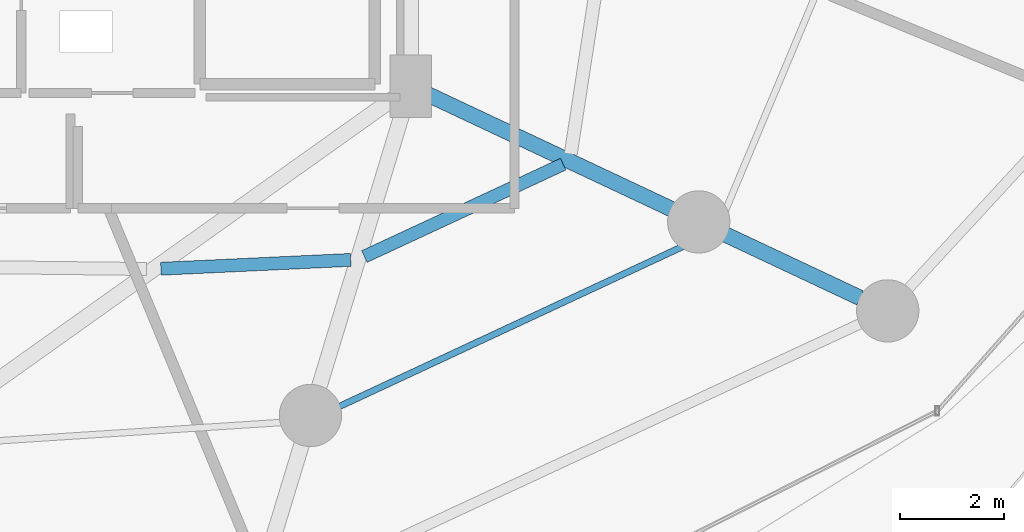
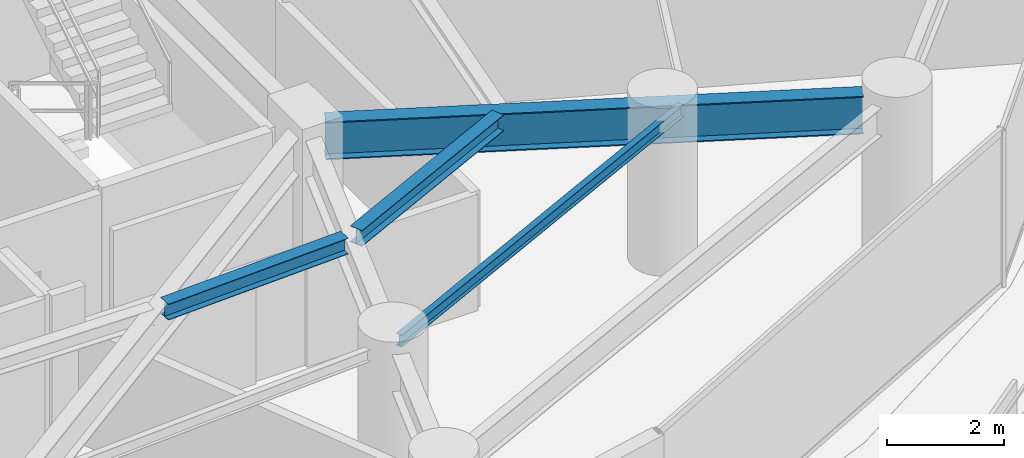
# One storey, part 13 of 35: 4 beams.
"""IFC4 building model written with IfcOpenShell, lengths in metres."""

from ifc_helpers import new_model, si_unit, direction, frame, origin, origin_2d, place, context, subcontext, project, spatial, i_section, extrude, material, material_profile, profile_set, type_object, element, save


model = new_model("IFC4")

# Units and contexts
model_context = context("Model", 3, precision=1e-05, world=origin(), true_north=direction((0.0, 1.0)))
body_context = subcontext(model_context, "Body", "Model", "MODEL_VIEW")
ifc_project = project(units=[si_unit("LENGTHUNIT", "METRE"), si_unit("AREAUNIT", "SQUARE_METRE"), si_unit("VOLUMEUNIT", "CUBIC_METRE"), si_unit("PLANEANGLEUNIT", "RADIAN"), si_unit("MASSUNIT", "GRAM", prefix="KILO")], contexts=[model_context])

# Site, building, storey
site_placement = place(None, origin())
site = spatial("IfcSite", under=ifc_project, at=site_placement, CompositionType="ELEMENT")
building_placement = place(site_placement, origin())
building = spatial("IfcBuilding", under=site, at=building_placement, Name="Vorneva Point Tower", CompositionType="ELEMENT")
storey_placement = place(building_placement, frame((0.0, 0.0, 48.5)))
storey = spatial("IfcBuildingStorey", under=building, at=storey_placement, Name="L12", CompositionType="ELEMENT", Elevation=48.5)

# Beams
ifc_material = material(Name="Steel S355", Category="steel")
ifc_material_profile_1 = material_profile(ifc_material, i_section(OverallWidth=0.300048828125, OverallDepth=0.7880859375, WebThickness=0.014404296875, FlangeThickness=0.02197265625, at=origin_2d()), Name="80Sh1")
ifc_profile_set_1 = profile_set([ifc_material_profile_1], Name="Steel S355")
beam_type_1 = type_object("IfcBeamType", Name="BM-GRD-80Sh1", PredefinedType="USERDEFINED", material=ifc_profile_set_1)
beam_1_placement = place(storey_placement, frame((57.40673828125, 12.37451171875, 2.845947265625), z_axis=(-0.904749139553, 0.425944825627, 0.0), x_axis=(-0.425944825627, -0.904749139553, 0.0)))
element("IfcBeam", 1, at=beam_1_placement, inside=storey, type_object=beam_type_1, Name="L12 Radial Primary Girder 15", ObjectType="GIRDER", PredefinedType="USERDEFINED", context=body_context, shape_type="SweptSolid", body=[
    extrude(i_section(OverallWidth=0.300048828125, OverallDepth=0.7880859375, WebThickness=0.014404296875, FlangeThickness=0.02197265625, at=origin_2d()), origin(), (0.0, 0.0, 1.0), 9.22802734375),
])
ifc_material_profile_2 = material_profile(ifc_material, i_section(OverallWidth=0.1240234375, OverallDepth=0.248046875, WebThickness=0.0048828125, FlangeThickness=0.008056640625, at=origin_2d()), Name="25B1")
ifc_profile_set_2 = profile_set([ifc_material_profile_2], Name="Steel S355")
beam_type_2 = type_object("IfcBeamType", Name="BM-JST-25B1", PredefinedType="JOIST", material=ifc_profile_set_2)
beam_2_placement = place(storey_placement, frame((46.91552734375, 10.06787109375, 3.115966796875), z_axis=(0.906471160493, 0.422267729283, 0.0), x_axis=(-0.422267729283, 0.906471160493, 0.0)))
element("IfcBeam", 2, at=beam_2_placement, inside=storey, type_object=beam_type_2, Name="L12 Secondary Floor Beam 1.14", PredefinedType="JOIST", context=body_context, shape_type="SweptSolid", body=[
    extrude(i_section(OverallWidth=0.1240234375, OverallDepth=0.248046875, WebThickness=0.0048828125, FlangeThickness=0.008056640625, at=origin_2d()), origin(), (0.0, 0.0, 1.0), 8.396240234375),
])
ifc_material_profile_3 = material_profile(ifc_material, i_section(OverallWidth=0.2490234375, OverallDepth=0.333984375, WebThickness=0.008056640625, FlangeThickness=0.010986328125, at=origin_2d()), Name="35Sh1")
ifc_profile_set_3 = profile_set([ifc_material_profile_3], Name="Steel S355")
beam_type_3 = type_object("IfcBeamType", Name="BM-SEC-35Sh1", PredefinedType="BEAM", material=ifc_profile_set_3)
beam_3_placement = place(storey_placement, frame((43.940185546875, 12.935546875, 3.072998046875), z_axis=(0.998909550373, 0.046687366312, 0.0), x_axis=(-0.046687366312, 0.998909550373, 0.0)))
element("IfcBeam", 3, at=beam_3_placement, inside=storey, type_object=beam_type_3, Name="L12 Secondary Floor Beam 2.13", PredefinedType="BEAM", context=body_context, shape_type="SweptSolid", body=[
    extrude(i_section(OverallWidth=0.2490234375, OverallDepth=0.333984375, WebThickness=0.008056640625, FlangeThickness=0.010986328125, at=origin_2d()), origin(), (0.0, 0.0, 1.0), 3.660400390625),
])
beam_4_placement = place(storey_placement, frame((47.85986328125, 13.1708984375, 3.072998046875), z_axis=(0.906844001893, 0.421466435474, 0.0), x_axis=(-0.421466435474, 0.906844001893, 0.0)))
element("IfcBeam", 4, at=beam_4_placement, inside=storey, type_object=beam_type_3, Name="L12 Secondary Floor Beam 2.14", PredefinedType="BEAM", context=body_context, shape_type="SweptSolid", body=[
    extrude(i_section(OverallWidth=0.2490234375, OverallDepth=0.333984375, WebThickness=0.008056640625, FlangeThickness=0.010986328125, at=origin_2d()), origin(), (0.0, 0.0, 1.0), 4.22119140625),
])

save(model, "model.ifc")
